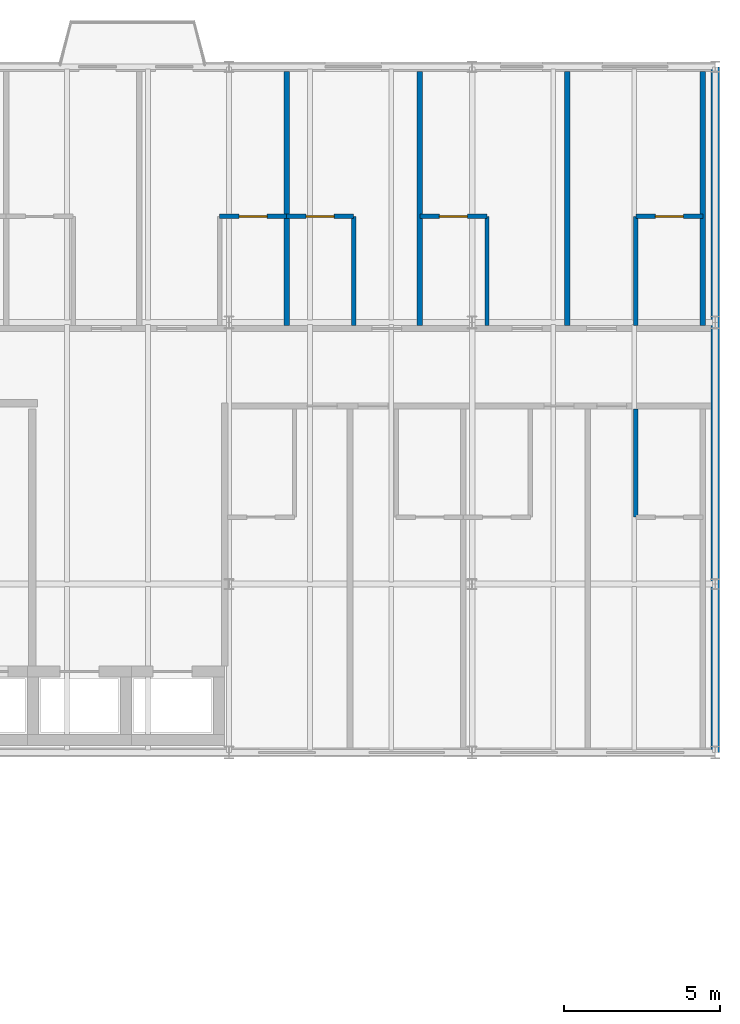
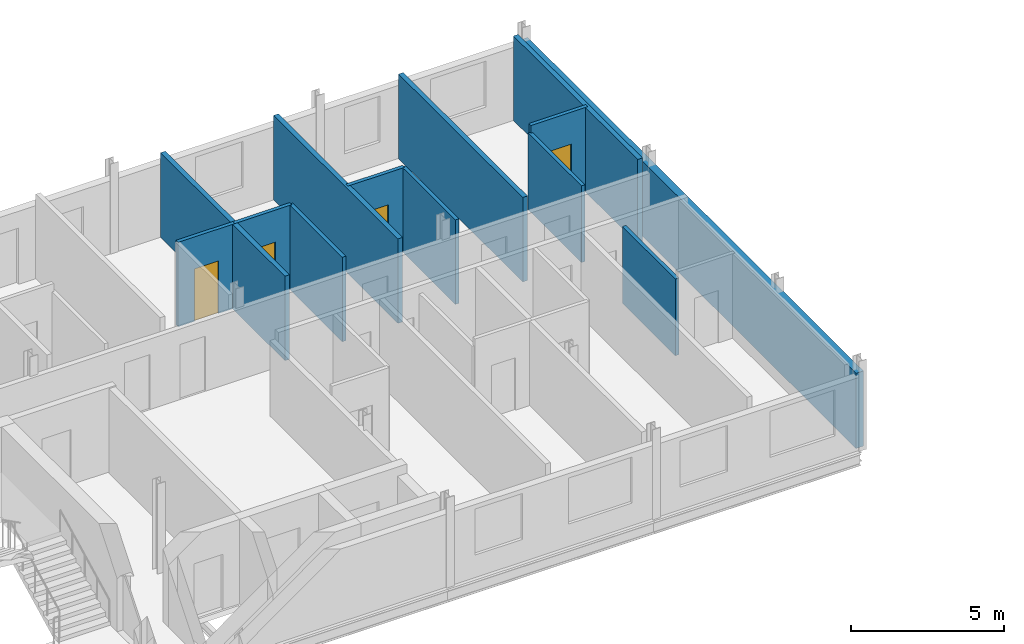
# One storey, part 21 of 25: 13 walls, 4 doors, 4 openings.
"""IFC4 building model written with IfcOpenShell, lengths in metres."""

from ifc_helpers import new_model, si_unit, direction, frame, frame_2d, origin, place, context, subcontext, project, spatial, rectangle, extrude, material, layer, layer_set, type_object, element, fill, save


model = new_model("IFC4")

# Units and contexts
model_context = context("Model", 3, precision=1e-05, world=origin(), true_north=direction((0.0, 1.0)))
body_context = subcontext(model_context, "Body", "Model", "MODEL_VIEW")
ifc_project = project(units=[si_unit("LENGTHUNIT", "METRE"), si_unit("AREAUNIT", "SQUARE_METRE"), si_unit("VOLUMEUNIT", "CUBIC_METRE"), si_unit("PLANEANGLEUNIT", "RADIAN"), si_unit("MASSUNIT", "GRAM", prefix="KILO")], contexts=[model_context])

# Site, building, storey
site_placement = place(None, origin())
site = spatial("IfcSite", under=ifc_project, at=site_placement, CompositionType="ELEMENT")
building_placement = place(site_placement, origin())
building = spatial("IfcBuilding", under=site, at=building_placement, Name="Sefraquen Railside Congress Hotel", CompositionType="ELEMENT")
storey_placement = place(building_placement, frame((0.0, 0.0, 39.0)))
storey = spatial("IfcBuildingStorey", under=building, at=storey_placement, Name="L09", CompositionType="ELEMENT", Elevation=39.0)

# Wall
ifc_material_1 = material(Name="Ochre Rabat calcarenite limestone and Concrete C40/50 backing", Category="masonry")
ifc_layer_1 = layer(ifc_material_1, 0.280029296875)
ifc_layer_set_1 = layer_set([ifc_layer_1], Name="Ochre Rabat calcarenite limestone and Concrete C40/50 backing")
wall_type_1 = type_object("IfcWallType", Name="TW-EW-280", PredefinedType="STANDARD", material=ifc_layer_set_1)
wall_1_placement = place(storey_placement, frame((95.39990234375, 96.0, 0.0), z_axis=(0.0, 0.0, 1.0), x_axis=(0.0, 1.0, 0.0)))
element("IfcWall", 1, at=wall_1_placement, inside=storey, type_object=wall_type_1, Name="Hotel L09 east gable facade wall", PredefinedType="STANDARD", context=body_context, shape_type="SweptSolid", body=[
    extrude(rectangle(XDim=22.0, YDim=0.280029296875, at=frame_2d((11.0, 0.0))), origin(), (0.0, 0.0, 1.0), 3.010009765625),
])

# Wall, opening, door
ifc_material_2 = material(Name="Moisture-resistant gypsum board", Category="gypsum")
ifc_layer_2 = layer(ifc_material_2, 0.139892578125)
ifc_layer_set_2 = layer_set([ifc_layer_2], Name="Moisture-resistant gypsum board")
wall_type_2 = type_object("IfcWallType", Name="TW-PW-140", PredefinedType="PARTITIONING", material=ifc_layer_set_2)
wall_2_placement = place(storey_placement, frame((79.5, 113.199951171875, 0.0), z_axis=(0.0, 0.0, 1.0), x_axis=(1.0, 0.0, 0.0)))
wall_2 = element("IfcWall", 2, at=wall_2_placement, inside=storey, type_object=wall_type_2, Name="En-suite bathroom north wall RM-013", PredefinedType="PARTITIONING", context=body_context, shape_type="SweptSolid", body=[
    extrude(rectangle(XDim=2.14990234375, YDim=0.139892578125, at=frame_2d((1.074951171875, 0.0))), origin(), (0.0, 0.0, 1.0), 3.3798828125),
])
opening_1_placement = place(wall_2_placement, frame((0.625, 0.0, 0.0)))
opening_1 = element("IfcOpeningElement", 3, at=opening_1_placement, cuts=wall_2, Name="Opening ID-02", PredefinedType="OPENING", context=body_context, shape_type="SweptSolid", body=[
    extrude(rectangle(XDim=0.89990234375, YDim=2.10009765625, at=frame_2d((0.449951171875, 1.050048828125))), frame((0.0, 0.079833984375, 0.0), z_axis=(0.0, -1.0, 0.0), x_axis=(1.0, 0.0, 0.0)), (0.0, 0.0, 1.0), 0.159912109375),
])
ifc_material_3 = material(Name="Lacquered cedar joinery", Category="wood")
door_type = type_object("IfcDoorType", Name="TD-ID-02", OperationType="NOTDEFINED", PredefinedType="DOOR", material=ifc_material_3)
door_1_placement = place(opening_1_placement, origin())
door_1 = element("IfcDoor", 4, at=door_1_placement, inside=storey, type_object=door_type, Name="En-suite bathroom door RM-013", OperationType="SINGLE_SWING_LEFT", OverallHeight=2.10009765625, OverallWidth=0.89990234375, PredefinedType="DOOR", context=body_context, shape_type="SweptSolid", body=[
    extrude(rectangle(XDim=0.89990234375, YDim=2.10009765625, at=frame_2d((0.449951171875, 1.050048828125))), frame((0.0, 0.02490234375, 0.0), z_axis=(0.0, -1.0, 0.0), x_axis=(1.0, 0.0, 0.0)), (0.0, 0.0, 1.0), 0.050048828125),
])
fill(opening_1, door_1)

# Wall
wall_3_placement = place(storey_placement, frame((83.800048828125, 109.699951171875, 0.0), z_axis=(0.0, 0.0, 1.0), x_axis=(0.0, 1.0, 0.0)))
element("IfcWall", 5, at=wall_3_placement, inside=storey, type_object=wall_type_2, Name="En-suite bathroom east wall RM-014", PredefinedType="PARTITIONING", context=body_context, shape_type="SweptSolid", body=[
    extrude(rectangle(XDim=3.5, YDim=0.139892578125, at=frame_2d((1.75, 0.0))), origin(), (0.0, 0.0, 1.0), 3.3798828125),
])

# Wall, opening, door
wall_4_placement = place(storey_placement, frame((81.64990234375, 113.199951171875, 0.0), z_axis=(0.0, 0.0, 1.0), x_axis=(1.0, 0.0, 0.0)))
wall_4 = element("IfcWall", 6, at=wall_4_placement, inside=storey, type_object=wall_type_2, Name="En-suite bathroom north wall RM-014", PredefinedType="PARTITIONING", context=body_context, shape_type="SweptSolid", body=[
    extrude(rectangle(XDim=2.150146484375, YDim=0.139892578125, at=frame_2d((1.0751953125, 0.0))), origin(), (0.0, 0.0, 1.0), 3.3798828125),
])
opening_2_placement = place(wall_4_placement, frame((0.625, 0.0, 0.0)))
opening_2 = element("IfcOpeningElement", 7, at=opening_2_placement, cuts=wall_4, Name="Opening ID-02", PredefinedType="OPENING", context=body_context, shape_type="SweptSolid", body=[
    extrude(rectangle(XDim=0.89990234375, YDim=2.10009765625, at=frame_2d((0.449951171875, 1.050048828125))), frame((0.0, 0.079833984375, 0.0), z_axis=(0.0, -1.0, 0.0), x_axis=(1.0, 0.0, 0.0)), (0.0, 0.0, 1.0), 0.159912109375),
])
door_2_placement = place(opening_2_placement, origin())
door_2 = element("IfcDoor", 8, at=door_2_placement, inside=storey, type_object=door_type, Name="En-suite bathroom door RM-014", OperationType="SINGLE_SWING_LEFT", OverallHeight=2.10009765625, OverallWidth=0.89990234375, PredefinedType="DOOR", context=body_context, shape_type="SweptSolid", body=[
    extrude(rectangle(XDim=0.89990234375, YDim=2.10009765625, at=frame_2d((0.449951171875, 1.050048828125))), frame((0.0, 0.02490234375, 0.0), z_axis=(0.0, -1.0, 0.0), x_axis=(1.0, 0.0, 0.0)), (0.0, 0.0, 1.0), 0.050048828125),
])
fill(opening_2, door_2)

# Wall
wall_5_placement = place(storey_placement, frame((88.074951171875, 109.699951171875, 0.0), z_axis=(0.0, 0.0, 1.0), x_axis=(0.0, 1.0, 0.0)))
element("IfcWall", 9, at=wall_5_placement, inside=storey, type_object=wall_type_2, Name="En-suite bathroom east wall RM-015", PredefinedType="PARTITIONING", context=body_context, shape_type="SweptSolid", body=[
    extrude(rectangle(XDim=3.5, YDim=0.139892578125, at=frame_2d((1.75, 0.0))), origin(), (0.0, 0.0, 1.0), 3.3798828125),
])

# Wall, opening, door
wall_6_placement = place(storey_placement, frame((85.925048828125, 113.199951171875, 0.0), z_axis=(0.0, 0.0, 1.0), x_axis=(1.0, 0.0, 0.0)))
wall_6 = element("IfcWall", 10, at=wall_6_placement, inside=storey, type_object=wall_type_2, Name="En-suite bathroom north wall RM-015", PredefinedType="PARTITIONING", context=body_context, shape_type="SweptSolid", body=[
    extrude(rectangle(XDim=2.14990234375, YDim=0.139892578125, at=frame_2d((1.074951171875, 0.0))), origin(), (0.0, 0.0, 1.0), 3.3798828125),
])
opening_3_placement = place(wall_6_placement, frame((0.625, 0.0, 0.0)))
opening_3 = element("IfcOpeningElement", 11, at=opening_3_placement, cuts=wall_6, Name="Opening ID-02", PredefinedType="OPENING", context=body_context, shape_type="SweptSolid", body=[
    extrude(rectangle(XDim=0.89990234375, YDim=2.10009765625, at=frame_2d((0.449951171875, 1.050048828125))), frame((0.0, 0.079833984375, 0.0), z_axis=(0.0, -1.0, 0.0), x_axis=(1.0, 0.0, 0.0)), (0.0, 0.0, 1.0), 0.159912109375),
])
door_3_placement = place(opening_3_placement, origin())
door_3 = element("IfcDoor", 12, at=door_3_placement, inside=storey, type_object=door_type, Name="En-suite bathroom door RM-015", OperationType="SINGLE_SWING_LEFT", OverallHeight=2.10009765625, OverallWidth=0.89990234375, PredefinedType="DOOR", context=body_context, shape_type="SweptSolid", body=[
    extrude(rectangle(XDim=0.89990234375, YDim=2.10009765625, at=frame_2d((0.449951171875, 1.050048828125))), frame((0.0, 0.02490234375, 0.0), z_axis=(0.0, -1.0, 0.0), x_axis=(1.0, 0.0, 0.0)), (0.0, 0.0, 1.0), 0.050048828125),
])
fill(opening_3, door_3)

# Wall
wall_7_placement = place(storey_placement, frame((92.85009765625, 109.699951171875, 0.0), z_axis=(0.0, 0.0, 1.0), x_axis=(0.0, 1.0, 0.0)))
element("IfcWall", 13, at=wall_7_placement, inside=storey, type_object=wall_type_2, Name="En-suite bathroom west wall RM-016", PredefinedType="PARTITIONING", context=body_context, shape_type="SweptSolid", body=[
    extrude(rectangle(XDim=3.5, YDim=0.139892578125, at=frame_2d((1.75, 0.0))), origin(), (0.0, 0.0, 1.0), 3.070068359375),
])

# Wall, opening, door
wall_8_placement = place(storey_placement, frame((92.85009765625, 113.199951171875, 0.0), z_axis=(0.0, 0.0, 1.0), x_axis=(1.0, 0.0, 0.0)))
wall_8 = element("IfcWall", 14, at=wall_8_placement, inside=storey, type_object=wall_type_2, Name="En-suite bathroom north wall RM-016", PredefinedType="PARTITIONING", context=body_context, shape_type="SweptSolid", body=[
    extrude(rectangle(XDim=2.14990234375, YDim=0.139892578125, at=frame_2d((1.074951171875, 0.0))), origin(), (0.0, 0.0, 1.0), 3.3798828125),
])
opening_4_placement = place(wall_8_placement, frame((0.625, 0.0, 0.0)))
opening_4 = element("IfcOpeningElement", 15, at=opening_4_placement, cuts=wall_8, Name="Opening ID-02", PredefinedType="OPENING", context=body_context, shape_type="SweptSolid", body=[
    extrude(rectangle(XDim=0.89990234375, YDim=2.10009765625, at=frame_2d((0.449951171875, 1.050048828125))), frame((0.0, 0.079833984375, 0.0), z_axis=(0.0, -1.0, 0.0), x_axis=(1.0, 0.0, 0.0)), (0.0, 0.0, 1.0), 0.159912109375),
])
door_4_placement = place(opening_4_placement, origin())
door_4 = element("IfcDoor", 16, at=door_4_placement, inside=storey, type_object=door_type, Name="En-suite bathroom door RM-016", OperationType="SINGLE_SWING_LEFT", OverallHeight=2.10009765625, OverallWidth=0.89990234375, PredefinedType="DOOR", context=body_context, shape_type="SweptSolid", body=[
    extrude(rectangle(XDim=0.89990234375, YDim=2.10009765625, at=frame_2d((0.449951171875, 1.050048828125))), frame((0.0, 0.02490234375, 0.0), z_axis=(0.0, -1.0, 0.0), x_axis=(1.0, 0.0, 0.0)), (0.0, 0.0, 1.0), 0.050048828125),
])
fill(opening_4, door_4)

# Walls
wall_9_placement = place(storey_placement, frame((92.85009765625, 103.550048828125, 0.0), z_axis=(0.0, 0.0, 1.0), x_axis=(0.0, 1.0, 0.0)))
element("IfcWall", 17, at=wall_9_placement, inside=storey, type_object=wall_type_2, Name="En-suite bathroom west wall RM-025", PredefinedType="PARTITIONING", context=body_context, shape_type="SweptSolid", body=[
    extrude(rectangle(XDim=3.469970703125, YDim=0.139892578125, at=frame_2d((1.73486328125, 0.0))), origin(), (0.0, 0.0, 1.0), 3.070068359375),
])
ifc_material_4 = material(Name="Acoustic gypsum board on metal stud", Category="gypsum")
ifc_layer_3 = layer(ifc_material_4, 0.179931640625)
ifc_layer_set_3 = layer_set([ifc_layer_3], Name="Acoustic gypsum board on metal stud")
wall_type_3 = type_object("IfcWallType", Name="TW-PW-180", PredefinedType="PARTITIONING", material=ifc_layer_set_3)
for number, where, z_axis, x_axis, name in (
    (18, (81.64990234375, 109.699951171875, 0.0), (0.0, 0.0, 1.0), (0.0, 1.0, 0.0), "Guest room demising wall RM-013"),
    (19, (85.925048828125, 109.699951171875, 0.0), (0.0, 0.0, 1.0), (0.0, 1.0, 0.0), "Guest room demising wall RM-014"),
    (20, (90.64990234375, 109.699951171875, 0.0), (0.0, 0.0, 1.0), (0.0, 1.0, 0.0), "Guest room demising wall RM-015"),
    (21, (95.0, 109.699951171875, 0.0), (0.0, 0.0, 1.0), (0.0, 1.0, 0.0), "Guest room demising wall RM-016"),
):
    element("IfcWall", number, at=place(storey_placement, frame(where, z_axis=z_axis, x_axis=x_axis)), inside=storey, type_object=wall_type_3, Name=name, PredefinedType="PARTITIONING", context=body_context, shape_type="SweptSolid", body=[
        extrude(rectangle(XDim=8.150146484375, YDim=0.179931640625, at=frame_2d((4.0751953125, 0.0))), origin(), (0.0, 0.0, 1.0), 3.3798828125),
    ])

save(model, "model.ifc")
